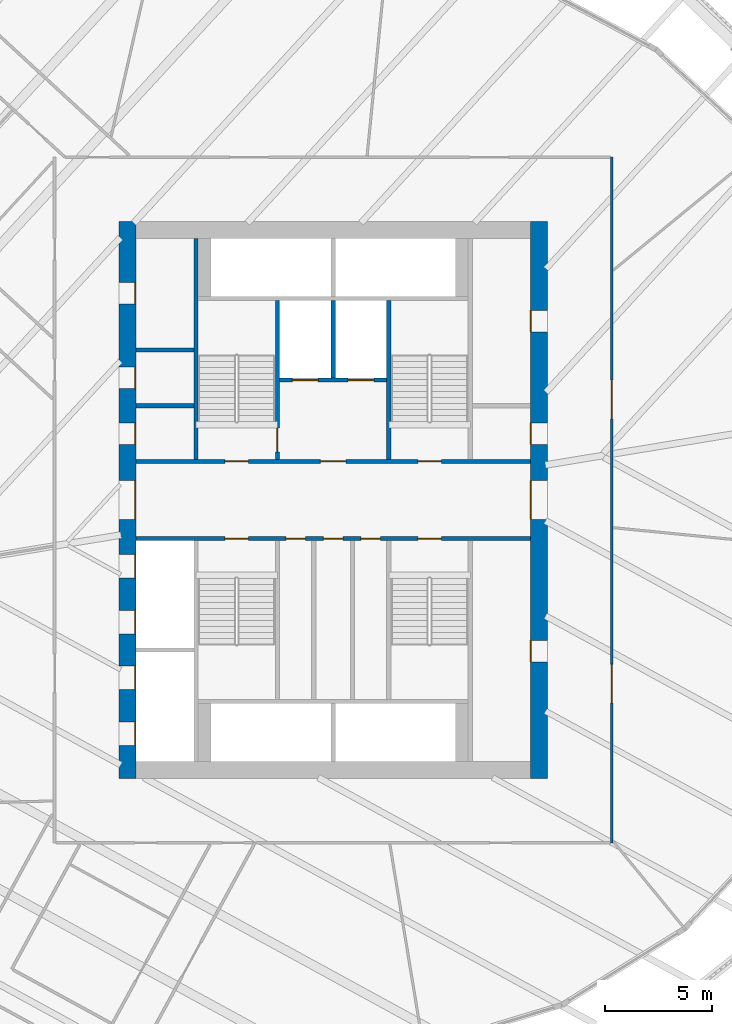
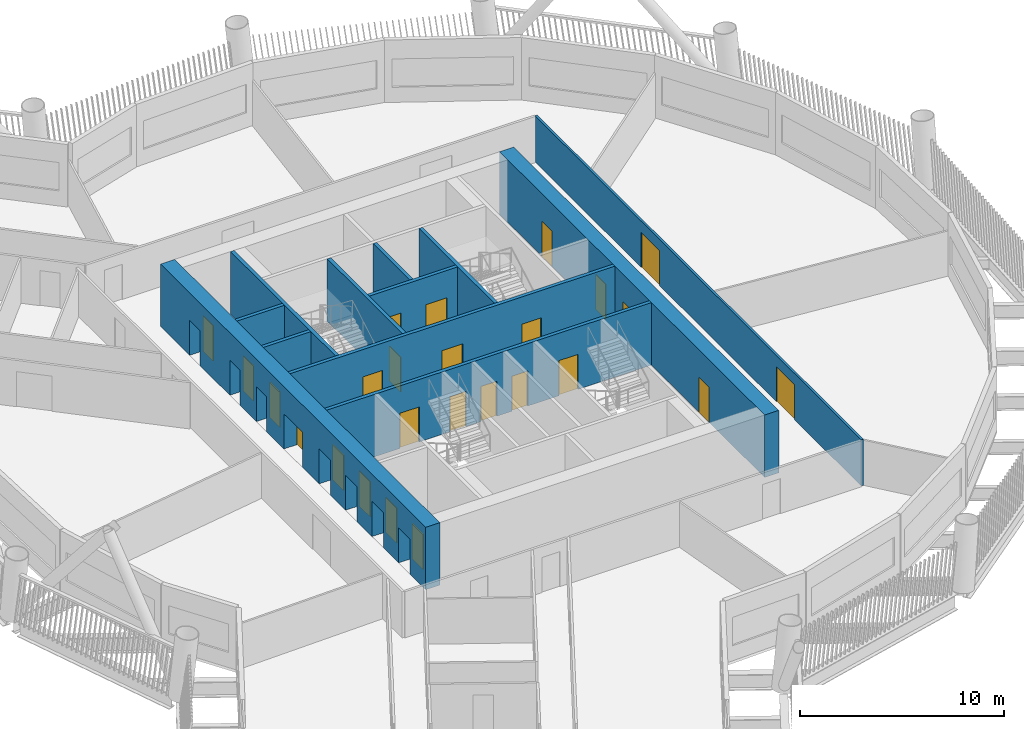
# One storey, part 5 of 24: 25 doors, 12 walls, 25 openings.
"""IFC4 building model written with IfcOpenShell, lengths in metres."""

from ifc_helpers import new_model, si_unit, direction, frame, frame_2d, origin, place, context, subcontext, project, spatial, rectangle, extrude, material, layer, layer_set, type_object, element, fill, save


model = new_model("IFC4")

# Units and contexts
model_context = context("Model", 3, precision=1e-05, world=origin(), true_north=direction((0.0, 1.0)))
body_context = subcontext(model_context, "Body", "Model", "MODEL_VIEW")
ifc_project = project(units=[si_unit("LENGTHUNIT", "METRE"), si_unit("AREAUNIT", "SQUARE_METRE"), si_unit("VOLUMEUNIT", "CUBIC_METRE"), si_unit("PLANEANGLEUNIT", "RADIAN"), si_unit("MASSUNIT", "GRAM", prefix="KILO")], contexts=[model_context])

# Site, building, storey
site_placement = place(None, origin())
site = spatial("IfcSite", under=ifc_project, at=site_placement, CompositionType="ELEMENT")
building_placement = place(site_placement, origin())
building = spatial("IfcBuilding", under=site, at=building_placement, Name="Tarsis Ring Headquarters", CompositionType="ELEMENT")
storey_placement = place(building_placement, frame((0.0, 0.0, 92.800048828125)))
storey = spatial("IfcBuildingStorey", under=building, at=storey_placement, Name="L20", CompositionType="ELEMENT", Elevation=92.800048828125)

# Walls
ifc_material_1 = material(Name="Blockwork", Category="masonry")
ifc_layer_1 = layer(ifc_material_1, 0.199951171875)
ifc_layer_set_1 = layer_set([ifc_layer_1], Name="Core blockwork wall 200")
wall_type_1 = type_object("IfcWallType", Name="Core blockwork wall 200", PredefinedType="PARTITIONING", material=ifc_layer_set_1)
for number, where, z_axis, x_axis, name in (
    (1, (-9.199951171875, 4.39990234375, 0.0), (0.0, 0.0, 1.0), (1.0, 0.0, 0.0), "Core partition WD5"),
    (2, (-9.199951171875, 7.0, 0.0), (0.0, 0.0, 1.0), (1.0, 0.0, 0.0), "Core partition WD6"),
):
    element("IfcWall", number, at=place(storey_placement, frame(where, z_axis=z_axis, x_axis=x_axis)), inside=storey, type_object=wall_type_1, Name=name, PredefinedType="PARTITIONING", context=body_context, shape_type="SweptSolid", body=[
        extrude(rectangle(XDim=2.699951171875, YDim=0.199951171875, at=frame_2d((1.35009765625, 0.0))), origin(), (0.0, 0.0, 1.0), 3.739990234375),
    ])

# Wall, openings, doors
ifc_material_2 = material(Name="Concrete C60/75", Category="concrete")
ifc_layer_2 = layer(ifc_material_2, 0.800048828125)
ifc_layer_set_2 = layer_set([ifc_layer_2], Name="Core wall 800 C60/75")
wall_type_2 = type_object("IfcWallType", Name="Core wall 800 C60/75", PredefinedType="SHEAR", material=ifc_layer_set_2)
wall_1_placement = place(storey_placement, frame((-9.60009765625, -13.0, 0.0), z_axis=(0.0, 0.0, 1.0), x_axis=(0.0, 1.0, 0.0)))
wall_1 = element("IfcWall", 3, at=wall_1_placement, inside=storey, type_object=wall_type_2, Name="Core wall OW", PredefinedType="SHEAR", context=body_context, shape_type="SweptSolid", body=[
    extrude(rectangle(XDim=26.0, YDim=0.800048828125, at=frame_2d((13.0, 0.0))), origin(), (0.0, 0.0, 1.0), 3.739990234375),
])
opening_1_placement = place(wall_1_placement, frame((1.550048828125, 0.0, 0.0)))
opening_1 = element("IfcOpeningElement", 4, at=opening_1_placement, cuts=wall_1, Name="Opening LD-LR1", PredefinedType="OPENING", context=body_context, shape_type="SweptSolid", body=[
    extrude(rectangle(XDim=1.10009765625, YDim=2.10009765625, at=frame_2d((0.550048828125, 1.050048828125))), frame((0.0, 0.409912109375, 0.0), z_axis=(0.0, -1.0, 0.0), x_axis=(1.0, 0.0, 0.0)), (0.0, 0.0, 1.0), 0.820068359375),
])
opening_2_placement = place(wall_1_placement, frame((4.14990234375, 0.0, 0.0)))
opening_2 = element("IfcOpeningElement", 5, at=opening_2_placement, cuts=wall_1, Name="Opening LD-LR2", PredefinedType="OPENING", context=body_context, shape_type="SweptSolid", body=[
    extrude(rectangle(XDim=1.10009765625, YDim=2.10009765625, at=frame_2d((0.550048828125, 1.050048828125))), frame((0.0, 0.409912109375, 0.0), z_axis=(0.0, -1.0, 0.0), x_axis=(1.0, 0.0, 0.0)), (0.0, 0.0, 1.0), 0.820068359375),
])
opening_3_placement = place(wall_1_placement, frame((6.75, 0.0, 0.0)))
opening_3 = element("IfcOpeningElement", 6, at=opening_3_placement, cuts=wall_1, Name="Opening LD-LR3", PredefinedType="OPENING", context=body_context, shape_type="SweptSolid", body=[
    extrude(rectangle(XDim=1.10009765625, YDim=2.10009765625, at=frame_2d((0.550048828125, 1.050048828125))), frame((0.0, 0.409912109375, 0.0), z_axis=(0.0, -1.0, 0.0), x_axis=(1.0, 0.0, 0.0)), (0.0, 0.0, 1.0), 0.820068359375),
])
opening_4_placement = place(wall_1_placement, frame((9.35009765625, 0.0, 0.0)))
opening_4 = element("IfcOpeningElement", 7, at=opening_4_placement, cuts=wall_1, Name="Opening LD-LR4", PredefinedType="OPENING", context=body_context, shape_type="SweptSolid", body=[
    extrude(rectangle(XDim=1.10009765625, YDim=2.10009765625, at=frame_2d((0.550048828125, 1.050048828125))), frame((0.0, 0.409912109375, 0.0), z_axis=(0.0, -1.0, 0.0), x_axis=(1.0, 0.0, 0.0)), (0.0, 0.0, 1.0), 0.820068359375),
])
opening_5_placement = place(wall_1_placement, frame((12.10009765625, 0.0, 0.0)))
opening_5 = element("IfcOpeningElement", 8, at=opening_5_placement, cuts=wall_1, Name="Opening L20-C05", PredefinedType="OPENING", context=body_context, shape_type="SweptSolid", body=[
    extrude(rectangle(XDim=1.800048828125, YDim=2.10009765625, at=frame_2d((0.89990234375, 1.050048828125))), frame((0.0, 0.409912109375, 0.0), z_axis=(0.0, -1.0, 0.0), x_axis=(1.0, 0.0, 0.0)), (0.0, 0.0, 1.0), 0.820068359375),
])
opening_6_placement = place(wall_1_placement, frame((15.60009765625, 0.0, 0.0)))
opening_6 = element("IfcOpeningElement", 9, at=opening_6_placement, cuts=wall_1, Name="Opening L20-C06", PredefinedType="OPENING", context=body_context, shape_type="SweptSolid", body=[
    extrude(rectangle(XDim=1.0, YDim=2.10009765625, at=frame_2d((0.5, 1.050048828125))), frame((0.0, 0.409912109375, 0.0), z_axis=(0.0, -1.0, 0.0), x_axis=(1.0, 0.0, 0.0)), (0.0, 0.0, 1.0), 0.820068359375),
])
opening_7_placement = place(wall_1_placement, frame((18.199951171875, 0.0, 0.0)))
opening_7 = element("IfcOpeningElement", 10, at=opening_7_placement, cuts=wall_1, Name="Opening L20-C07", PredefinedType="OPENING", context=body_context, shape_type="SweptSolid", body=[
    extrude(rectangle(XDim=1.0, YDim=2.10009765625, at=frame_2d((0.5, 1.050048828125))), frame((0.0, 0.409912109375, 0.0), z_axis=(0.0, -1.0, 0.0), x_axis=(1.0, 0.0, 0.0)), (0.0, 0.0, 1.0), 0.820068359375),
])
opening_8_placement = place(wall_1_placement, frame((22.14990234375, 0.0, 0.0)))
opening_8 = element("IfcOpeningElement", 11, at=opening_8_placement, cuts=wall_1, Name="Opening L20-C08", PredefinedType="OPENING", context=body_context, shape_type="SweptSolid", body=[
    extrude(rectangle(XDim=1.0, YDim=2.10009765625, at=frame_2d((0.5, 1.050048828125))), frame((0.0, 0.409912109375, 0.0), z_axis=(0.0, -1.0, 0.0), x_axis=(1.0, 0.0, 0.0)), (0.0, 0.0, 1.0), 0.820068359375),
])
ifc_material_3 = material(Name="Steel S355", Category="steel")
door_type_1 = type_object("IfcDoorType", Name="Core entry door 1800x2100", OperationType="DOUBLE_DOOR_SINGLE_SWING", PredefinedType="DOOR", material=ifc_material_3)
door_1_placement = place(opening_5_placement, origin())
door_1 = element("IfcDoor", 12, at=door_1_placement, inside=storey, type_object=door_type_1, Name="Core entry door L20", OperationType="DOUBLE_DOOR_SINGLE_SWING", OverallHeight=2.10009765625, OverallWidth=1.800048828125, PredefinedType="DOOR", context=body_context, shape_type="SweptSolid", body=[
    extrude(rectangle(XDim=1.800048828125, YDim=2.10009765625, at=frame_2d((0.89990234375, 1.050048828125))), frame((0.0, -0.35009765625, 0.0), z_axis=(0.0, -1.0, 0.0), x_axis=(1.0, 0.0, 0.0)), (0.0, 0.0, 1.0), 0.050048828125),
])
fill(opening_5, door_1)
door_type_2 = type_object("IfcDoorType", Name="Core room door 1000x2100", OperationType="SINGLE_SWING_LEFT", PredefinedType="DOOR", material=ifc_material_3)
door_2_placement = place(opening_6_placement, origin())
door_2 = element("IfcDoor", 13, at=door_2_placement, inside=storey, type_object=door_type_2, Name="Core room door L20", OperationType="SINGLE_SWING_LEFT", OverallHeight=2.10009765625, OverallWidth=1.0, PredefinedType="DOOR", context=body_context, shape_type="SweptSolid", body=[
    extrude(rectangle(XDim=1.0, YDim=2.10009765625, at=frame_2d((0.5, 1.050048828125))), frame((0.0, -0.35009765625, 0.0), z_axis=(0.0, -1.0, 0.0), x_axis=(1.0, 0.0, 0.0)), (0.0, 0.0, 1.0), 0.050048828125),
])
fill(opening_6, door_2)
door_3_placement = place(opening_7_placement, origin())
door_3 = element("IfcDoor", 14, at=door_3_placement, inside=storey, type_object=door_type_2, Name="Core room door L20", OperationType="SINGLE_SWING_LEFT", OverallHeight=2.10009765625, OverallWidth=1.0, PredefinedType="DOOR", context=body_context, shape_type="SweptSolid", body=[
    extrude(rectangle(XDim=1.0, YDim=2.10009765625, at=frame_2d((0.5, 1.050048828125))), frame((0.0, -0.35009765625, 0.0), z_axis=(0.0, -1.0, 0.0), x_axis=(1.0, 0.0, 0.0)), (0.0, 0.0, 1.0), 0.050048828125),
])
fill(opening_7, door_3)
door_4_placement = place(opening_8_placement, origin())
door_4 = element("IfcDoor", 15, at=door_4_placement, inside=storey, type_object=door_type_2, Name="Core room door L20", OperationType="SINGLE_SWING_LEFT", OverallHeight=2.10009765625, OverallWidth=1.0, PredefinedType="DOOR", context=body_context, shape_type="SweptSolid", body=[
    extrude(rectangle(XDim=1.0, YDim=2.10009765625, at=frame_2d((0.5, 1.050048828125))), frame((0.0, -0.35009765625, 0.0), z_axis=(0.0, -1.0, 0.0), x_axis=(1.0, 0.0, 0.0)), (0.0, 0.0, 1.0), 0.050048828125),
])
fill(opening_8, door_4)
door_type_3 = type_object("IfcDoorType", Name="Landing door 1100x2100", OperationType="SLIDING_TO_LEFT", PredefinedType="DOOR", material=ifc_material_3)
door_5_placement = place(opening_1_placement, origin())
door_5 = element("IfcDoor", 16, at=door_5_placement, inside=storey, type_object=door_type_3, Name="Landing door LR1 L20", OperationType="SLIDING_TO_LEFT", OverallHeight=2.10009765625, OverallWidth=1.10009765625, PredefinedType="DOOR", context=body_context, shape_type="SweptSolid", body=[
    extrude(rectangle(XDim=1.10009765625, YDim=2.10009765625, at=frame_2d((0.550048828125, 1.050048828125))), frame((0.0, -0.35009765625, 0.0), z_axis=(0.0, -1.0, 0.0), x_axis=(1.0, 0.0, 0.0)), (0.0, 0.0, 1.0), 0.050048828125),
])
fill(opening_1, door_5)
door_6_placement = place(opening_2_placement, origin())
door_6 = element("IfcDoor", 17, at=door_6_placement, inside=storey, type_object=door_type_3, Name="Landing door LR2 L20", OperationType="SLIDING_TO_LEFT", OverallHeight=2.10009765625, OverallWidth=1.10009765625, PredefinedType="DOOR", context=body_context, shape_type="SweptSolid", body=[
    extrude(rectangle(XDim=1.10009765625, YDim=2.10009765625, at=frame_2d((0.550048828125, 1.050048828125))), frame((0.0, -0.35009765625, 0.0), z_axis=(0.0, -1.0, 0.0), x_axis=(1.0, 0.0, 0.0)), (0.0, 0.0, 1.0), 0.050048828125),
])
fill(opening_2, door_6)
door_7_placement = place(opening_3_placement, origin())
door_7 = element("IfcDoor", 18, at=door_7_placement, inside=storey, type_object=door_type_3, Name="Landing door LR3 L20", OperationType="SLIDING_TO_LEFT", OverallHeight=2.10009765625, OverallWidth=1.10009765625, PredefinedType="DOOR", context=body_context, shape_type="SweptSolid", body=[
    extrude(rectangle(XDim=1.10009765625, YDim=2.10009765625, at=frame_2d((0.550048828125, 1.050048828125))), frame((0.0, -0.35009765625, 0.0), z_axis=(0.0, -1.0, 0.0), x_axis=(1.0, 0.0, 0.0)), (0.0, 0.0, 1.0), 0.050048828125),
])
fill(opening_3, door_7)
door_8_placement = place(opening_4_placement, origin())
door_8 = element("IfcDoor", 19, at=door_8_placement, inside=storey, type_object=door_type_3, Name="Landing door LR4 L20", OperationType="SLIDING_TO_LEFT", OverallHeight=2.10009765625, OverallWidth=1.10009765625, PredefinedType="DOOR", context=body_context, shape_type="SweptSolid", body=[
    extrude(rectangle(XDim=1.10009765625, YDim=2.10009765625, at=frame_2d((0.550048828125, 1.050048828125))), frame((0.0, -0.35009765625, 0.0), z_axis=(0.0, -1.0, 0.0), x_axis=(1.0, 0.0, 0.0)), (0.0, 0.0, 1.0), 0.050048828125),
])
fill(opening_4, door_8)

wall_2_placement = place(storey_placement, frame((9.60009765625, -13.0, 0.0), z_axis=(0.0, 0.0, 1.0), x_axis=(0.0, 1.0, 0.0)))
wall_2 = element("IfcWall", 20, at=wall_2_placement, inside=storey, type_object=wall_type_2, Name="Core wall OE", PredefinedType="SHEAR", context=body_context, shape_type="SweptSolid", body=[
    extrude(rectangle(XDim=26.0, YDim=0.800048828125, at=frame_2d((13.0, 0.0))), origin(), (0.0, 0.0, 1.0), 3.739990234375),
])
opening_9_placement = place(wall_2_placement, frame((5.449951171875, 0.0, 0.0)))
opening_9 = element("IfcOpeningElement", 21, at=opening_9_placement, cuts=wall_2, Name="Opening L20-C09", PredefinedType="OPENING", context=body_context, shape_type="SweptSolid", body=[
    extrude(rectangle(XDim=1.0, YDim=2.10009765625, at=frame_2d((0.5, 1.050048828125))), frame((0.0, 0.409912109375, 0.0), z_axis=(0.0, -1.0, 0.0), x_axis=(1.0, 0.0, 0.0)), (0.0, 0.0, 1.0), 0.820068359375),
])
opening_10_placement = place(wall_2_placement, frame((12.10009765625, 0.0, 0.0)))
opening_10 = element("IfcOpeningElement", 22, at=opening_10_placement, cuts=wall_2, Name="Opening L20-C10", PredefinedType="OPENING", context=body_context, shape_type="SweptSolid", body=[
    extrude(rectangle(XDim=1.800048828125, YDim=2.10009765625, at=frame_2d((0.89990234375, 1.050048828125))), frame((0.0, 0.409912109375, 0.0), z_axis=(0.0, -1.0, 0.0), x_axis=(1.0, 0.0, 0.0)), (0.0, 0.0, 1.0), 0.820068359375),
])
opening_11_placement = place(wall_2_placement, frame((15.60009765625, 0.0, 0.0)))
opening_11 = element("IfcOpeningElement", 23, at=opening_11_placement, cuts=wall_2, Name="Opening L20-C11", PredefinedType="OPENING", context=body_context, shape_type="SweptSolid", body=[
    extrude(rectangle(XDim=1.0, YDim=2.10009765625, at=frame_2d((0.5, 1.050048828125))), frame((0.0, 0.409912109375, 0.0), z_axis=(0.0, -1.0, 0.0), x_axis=(1.0, 0.0, 0.0)), (0.0, 0.0, 1.0), 0.820068359375),
])
opening_12_placement = place(wall_2_placement, frame((20.85009765625, 0.0, 0.0)))
opening_12 = element("IfcOpeningElement", 24, at=opening_12_placement, cuts=wall_2, Name="Opening L20-C12", PredefinedType="OPENING", context=body_context, shape_type="SweptSolid", body=[
    extrude(rectangle(XDim=1.0, YDim=2.10009765625, at=frame_2d((0.5, 1.050048828125))), frame((0.0, 0.409912109375, 0.0), z_axis=(0.0, -1.0, 0.0), x_axis=(1.0, 0.0, 0.0)), (0.0, 0.0, 1.0), 0.820068359375),
])
door_9_placement = place(opening_10_placement, origin())
door_9 = element("IfcDoor", 25, at=door_9_placement, inside=storey, type_object=door_type_1, Name="Core entry door L20", OperationType="DOUBLE_DOOR_SINGLE_SWING", OverallHeight=2.10009765625, OverallWidth=1.800048828125, PredefinedType="DOOR", context=body_context, shape_type="SweptSolid", body=[
    extrude(rectangle(XDim=1.800048828125, YDim=2.10009765625, at=frame_2d((0.89990234375, 1.050048828125))), frame((0.0, 0.39990234375, 0.0), z_axis=(0.0, -1.0, 0.0), x_axis=(1.0, 0.0, 0.0)), (0.0, 0.0, 1.0), 0.050048828125),
])
fill(opening_10, door_9)
door_10_placement = place(opening_9_placement, origin())
door_10 = element("IfcDoor", 26, at=door_10_placement, inside=storey, type_object=door_type_2, Name="Core room door L20", OperationType="SINGLE_SWING_LEFT", OverallHeight=2.10009765625, OverallWidth=1.0, PredefinedType="DOOR", context=body_context, shape_type="SweptSolid", body=[
    extrude(rectangle(XDim=1.0, YDim=2.10009765625, at=frame_2d((0.5, 1.050048828125))), frame((0.0, 0.39990234375, 0.0), z_axis=(0.0, -1.0, 0.0), x_axis=(1.0, 0.0, 0.0)), (0.0, 0.0, 1.0), 0.050048828125),
])
fill(opening_9, door_10)
door_11_placement = place(opening_11_placement, origin())
door_11 = element("IfcDoor", 27, at=door_11_placement, inside=storey, type_object=door_type_2, Name="Core room door L20", OperationType="SINGLE_SWING_LEFT", OverallHeight=2.10009765625, OverallWidth=1.0, PredefinedType="DOOR", context=body_context, shape_type="SweptSolid", body=[
    extrude(rectangle(XDim=1.0, YDim=2.10009765625, at=frame_2d((0.5, 1.050048828125))), frame((0.0, 0.39990234375, 0.0), z_axis=(0.0, -1.0, 0.0), x_axis=(1.0, 0.0, 0.0)), (0.0, 0.0, 1.0), 0.050048828125),
])
fill(opening_11, door_11)
door_12_placement = place(opening_12_placement, origin())
door_12 = element("IfcDoor", 28, at=door_12_placement, inside=storey, type_object=door_type_2, Name="Core room door L20", OperationType="SINGLE_SWING_LEFT", OverallHeight=2.10009765625, OverallWidth=1.0, PredefinedType="DOOR", context=body_context, shape_type="SweptSolid", body=[
    extrude(rectangle(XDim=1.0, YDim=2.10009765625, at=frame_2d((0.5, 1.050048828125))), frame((0.0, 0.39990234375, 0.0), z_axis=(0.0, -1.0, 0.0), x_axis=(1.0, 0.0, 0.0)), (0.0, 0.0, 1.0), 0.050048828125),
])
fill(opening_12, door_12)

ifc_material_4 = material(Name="Gypsum board on steel studs", Category="steel")
ifc_layer_3 = layer(ifc_material_4, 0.125)
ifc_layer_set_3 = layer_set([ifc_layer_3], Name="FL partition 125 EI 60 H2770")
wall_type_3 = type_object("IfcWallType", Name="FL partition 125 EI 60 H2770", PredefinedType="PARTITIONING", material=ifc_layer_set_3)
wall_3_placement = place(storey_placement, frame((13.0, -16.0, 0.0), z_axis=(0.0, 0.0, 1.0), x_axis=(0.0, 1.0, 0.0)))
wall_3 = element("IfcWall", 29, at=wall_3_placement, inside=storey, type_object=wall_type_3, Name="Partition PW1", PredefinedType="PARTITIONING", context=body_context, shape_type="SweptSolid", body=[
    extrude(rectangle(XDim=32.0, YDim=0.125, at=frame_2d((16.0, 0.0))), origin(), (0.0, 0.0, 1.0), 2.77001953125),
])
opening_13_placement = place(wall_3_placement, frame((19.789794921875, 0.0, 0.0)))
opening_13 = element("IfcOpeningElement", 30, at=opening_13_placement, cuts=wall_3, Name="Opening D20.05", PredefinedType="OPENING", context=body_context, shape_type="SweptSolid", body=[
    extrude(rectangle(XDim=1.800048828125, YDim=2.10009765625, at=frame_2d((0.89990234375, 1.050048828125))), frame((0.0, 0.072509765625, 0.0), z_axis=(0.0, -1.0, 0.0), x_axis=(1.0, 0.0, 0.0)), (0.0, 0.0, 1.0), 0.14501953125),
])
opening_14_placement = place(wall_3_placement, frame((6.53369140625, 0.0, 0.0)))
opening_14 = element("IfcOpeningElement", 31, at=opening_14_placement, cuts=wall_3, Name="Opening D20.06", PredefinedType="OPENING", context=body_context, shape_type="SweptSolid", body=[
    extrude(rectangle(XDim=1.800048828125, YDim=2.10009765625, at=frame_2d((0.89990234375, 1.050048828125))), frame((0.0, 0.072509765625, 0.0), z_axis=(0.0, -1.0, 0.0), x_axis=(1.0, 0.0, 0.0)), (0.0, 0.0, 1.0), 0.14501953125),
])
ifc_material_5 = material(Name="Fire-rated timber door leaf in steel frame", Category="steel")
door_type_4 = type_object("IfcDoorType", Name="FL door FD60-1800", OperationType="DOUBLE_DOOR_SINGLE_SWING", PredefinedType="DOOR", material=ifc_material_5)
door_13_placement = place(opening_13_placement, origin())
door_13 = element("IfcDoor", 32, at=door_13_placement, inside=storey, type_object=door_type_4, Name="Door D20.05", OperationType="DOUBLE_DOOR_SINGLE_SWING", OverallHeight=2.10009765625, OverallWidth=1.800048828125, PredefinedType="DOOR", context=body_context, shape_type="SweptSolid", body=[
    extrude(rectangle(XDim=1.800048828125, YDim=2.10009765625, at=frame_2d((0.89990234375, 1.050048828125))), frame((0.0, 0.02490234375, 0.0), z_axis=(0.0, -1.0, 0.0), x_axis=(1.0, 0.0, 0.0)), (0.0, 0.0, 1.0), 0.050048828125),
])
fill(opening_13, door_13)
door_14_placement = place(opening_14_placement, origin())
door_14 = element("IfcDoor", 33, at=door_14_placement, inside=storey, type_object=door_type_4, Name="Door D20.06", OperationType="DOUBLE_DOOR_SINGLE_SWING", OverallHeight=2.10009765625, OverallWidth=1.800048828125, PredefinedType="DOOR", context=body_context, shape_type="SweptSolid", body=[
    extrude(rectangle(XDim=1.800048828125, YDim=2.10009765625, at=frame_2d((0.89990234375, 1.050048828125))), frame((0.0, 0.02490234375, 0.0), z_axis=(0.0, -1.0, 0.0), x_axis=(1.0, 0.0, 0.0)), (0.0, 0.0, 1.0), 0.050048828125),
])
fill(opening_14, door_14)

ifc_material_6 = material(Name="Concrete C32/40", Category="concrete")
ifc_layer_4 = layer(ifc_material_6, 0.199951171875)
ifc_layer_set_4 = layer_set([ifc_layer_4], Name="Shaft wall 200 C32/40")
wall_type_4 = type_object("IfcWallType", Name="Shaft wall 200 C32/40", PredefinedType="SOLIDWALL", material=ifc_layer_set_4)
wall_4_placement = place(storey_placement, frame((-9.199951171875, 1.800048828125, 0.0), z_axis=(0.0, 0.0, 1.0), x_axis=(1.0, 0.0, 0.0)))
wall_4 = element("IfcWall", 34, at=wall_4_placement, inside=storey, type_object=wall_type_4, Name="Core shaft wall CN", PredefinedType="SOLIDWALL", context=body_context, shape_type="SweptSolid", body=[
    extrude(rectangle(XDim=18.39990234375, YDim=0.199951171875, at=frame_2d((9.199951171875, 0.0))), origin(), (0.0, 0.0, 1.0), 3.739990234375),
])
opening_15_placement = place(wall_4_placement, frame((4.14990234375, 0.0, 0.0)))
opening_15 = element("IfcOpeningElement", 35, at=opening_15_placement, cuts=wall_4, Name="Opening L20-C13", PredefinedType="OPENING", context=body_context, shape_type="SweptSolid", body=[
    extrude(rectangle(XDim=1.10009765625, YDim=2.10009765625, at=frame_2d((0.550048828125, 1.050048828125))), frame((0.0, 0.10986328125, 0.0), z_axis=(0.0, -1.0, 0.0), x_axis=(1.0, 0.0, 0.0)), (0.0, 0.0, 1.0), 0.219970703125),
])
opening_16_placement = place(wall_4_placement, frame((8.60009765625, 0.0, 0.0)))
opening_16 = element("IfcOpeningElement", 36, at=opening_16_placement, cuts=wall_4, Name="Opening L20-C14", PredefinedType="OPENING", context=body_context, shape_type="SweptSolid", body=[
    extrude(rectangle(XDim=1.199951171875, YDim=2.10009765625, at=frame_2d((0.60009765625, 1.050048828125))), frame((0.0, 0.10986328125, 0.0), z_axis=(0.0, -1.0, 0.0), x_axis=(1.0, 0.0, 0.0)), (0.0, 0.0, 1.0), 0.219970703125),
])
opening_17_placement = place(wall_4_placement, frame((13.14990234375, 0.0, 0.0)))
opening_17 = element("IfcOpeningElement", 37, at=opening_17_placement, cuts=wall_4, Name="Opening L20-C15", PredefinedType="OPENING", context=body_context, shape_type="SweptSolid", body=[
    extrude(rectangle(XDim=1.10009765625, YDim=2.10009765625, at=frame_2d((0.550048828125, 1.050048828125))), frame((0.0, 0.10986328125, 0.0), z_axis=(0.0, -1.0, 0.0), x_axis=(1.0, 0.0, 0.0)), (0.0, 0.0, 1.0), 0.219970703125),
])
door_type_5 = type_object("IfcDoorType", Name="Firefighting lobby door 1200x2100", OperationType="DOUBLE_DOOR_SINGLE_SWING", PredefinedType="DOOR", material=ifc_material_3)
door_15_placement = place(opening_16_placement, origin())
door_15 = element("IfcDoor", 38, at=door_15_placement, inside=storey, type_object=door_type_5, Name="Firefighting lobby door L20", OperationType="DOUBLE_DOOR_SINGLE_SWING", OverallHeight=2.10009765625, OverallWidth=1.199951171875, PredefinedType="DOOR", context=body_context, shape_type="SweptSolid", body=[
    extrude(rectangle(XDim=1.199951171875, YDim=2.10009765625, at=frame_2d((0.60009765625, 1.050048828125))), frame((0.0, 0.02490234375, 0.0), z_axis=(0.0, -1.0, 0.0), x_axis=(1.0, 0.0, 0.0)), (0.0, 0.0, 1.0), 0.050048828125),
])
fill(opening_16, door_15)
door_type_6 = type_object("IfcDoorType", Name="Stair door 1100x2100", OperationType="SINGLE_SWING_LEFT", PredefinedType="DOOR", material=ifc_material_3)
door_16_placement = place(opening_15_placement, origin())
door_16 = element("IfcDoor", 39, at=door_16_placement, inside=storey, type_object=door_type_6, Name="Stair door L20", OperationType="SINGLE_SWING_LEFT", OverallHeight=2.10009765625, OverallWidth=1.10009765625, PredefinedType="DOOR", context=body_context, shape_type="SweptSolid", body=[
    extrude(rectangle(XDim=1.10009765625, YDim=2.10009765625, at=frame_2d((0.550048828125, 1.050048828125))), frame((0.0, 0.02490234375, 0.0), z_axis=(0.0, -1.0, 0.0), x_axis=(1.0, 0.0, 0.0)), (0.0, 0.0, 1.0), 0.050048828125),
])
fill(opening_15, door_16)
door_17_placement = place(opening_17_placement, origin())
door_17 = element("IfcDoor", 40, at=door_17_placement, inside=storey, type_object=door_type_6, Name="Stair door L20", OperationType="SINGLE_SWING_LEFT", OverallHeight=2.10009765625, OverallWidth=1.10009765625, PredefinedType="DOOR", context=body_context, shape_type="SweptSolid", body=[
    extrude(rectangle(XDim=1.10009765625, YDim=2.10009765625, at=frame_2d((0.550048828125, 1.050048828125))), frame((0.0, 0.02490234375, 0.0), z_axis=(0.0, -1.0, 0.0), x_axis=(1.0, 0.0, 0.0)), (0.0, 0.0, 1.0), 0.050048828125),
])
fill(opening_17, door_17)

wall_5_placement = place(storey_placement, frame((-9.199951171875, -1.800048828125, 0.0), z_axis=(0.0, 0.0, 1.0), x_axis=(1.0, 0.0, 0.0)))
wall_5 = element("IfcWall", 41, at=wall_5_placement, inside=storey, type_object=wall_type_4, Name="Core shaft wall CS", PredefinedType="SOLIDWALL", context=body_context, shape_type="SweptSolid", body=[
    extrude(rectangle(XDim=18.39990234375, YDim=0.199951171875, at=frame_2d((9.199951171875, 0.0))), origin(), (0.0, 0.0, 1.0), 3.739990234375),
])
opening_18_placement = place(wall_5_placement, frame((4.14990234375, 0.0, 0.0)))
opening_18 = element("IfcOpeningElement", 42, at=opening_18_placement, cuts=wall_5, Name="Opening L20-C16", PredefinedType="OPENING", context=body_context, shape_type="SweptSolid", body=[
    extrude(rectangle(XDim=1.10009765625, YDim=2.10009765625, at=frame_2d((0.550048828125, 1.050048828125))), frame((0.0, 0.10986328125, 0.0), z_axis=(0.0, -1.0, 0.0), x_axis=(1.0, 0.0, 0.0)), (0.0, 0.0, 1.0), 0.219970703125),
])
opening_19_placement = place(wall_5_placement, frame((7.0, 0.0, 0.0)))
opening_19 = element("IfcOpeningElement", 43, at=opening_19_placement, cuts=wall_5, Name="Opening L20-C17", PredefinedType="OPENING", context=body_context, shape_type="SweptSolid", body=[
    extrude(rectangle(XDim=0.89990234375, YDim=2.10009765625, at=frame_2d((0.449951171875, 1.050048828125))), frame((0.0, 0.10986328125, 0.0), z_axis=(0.0, -1.0, 0.0), x_axis=(1.0, 0.0, 0.0)), (0.0, 0.0, 1.0), 0.219970703125),
])
opening_20_placement = place(wall_5_placement, frame((8.75, 0.0, 0.0)))
opening_20 = element("IfcOpeningElement", 44, at=opening_20_placement, cuts=wall_5, Name="Opening L20-C18", PredefinedType="OPENING", context=body_context, shape_type="SweptSolid", body=[
    extrude(rectangle(XDim=0.89990234375, YDim=2.10009765625, at=frame_2d((0.449951171875, 1.050048828125))), frame((0.0, 0.10986328125, 0.0), z_axis=(0.0, -1.0, 0.0), x_axis=(1.0, 0.0, 0.0)), (0.0, 0.0, 1.0), 0.219970703125),
])
opening_21_placement = place(wall_5_placement, frame((10.5, 0.0, 0.0)))
opening_21 = element("IfcOpeningElement", 45, at=opening_21_placement, cuts=wall_5, Name="Opening L20-C19", PredefinedType="OPENING", context=body_context, shape_type="SweptSolid", body=[
    extrude(rectangle(XDim=0.89990234375, YDim=2.10009765625, at=frame_2d((0.449951171875, 1.050048828125))), frame((0.0, 0.10986328125, 0.0), z_axis=(0.0, -1.0, 0.0), x_axis=(1.0, 0.0, 0.0)), (0.0, 0.0, 1.0), 0.219970703125),
])
opening_22_placement = place(wall_5_placement, frame((13.14990234375, 0.0, 0.0)))
opening_22 = element("IfcOpeningElement", 46, at=opening_22_placement, cuts=wall_5, Name="Opening L20-C20", PredefinedType="OPENING", context=body_context, shape_type="SweptSolid", body=[
    extrude(rectangle(XDim=1.10009765625, YDim=2.10009765625, at=frame_2d((0.550048828125, 1.050048828125))), frame((0.0, 0.10986328125, 0.0), z_axis=(0.0, -1.0, 0.0), x_axis=(1.0, 0.0, 0.0)), (0.0, 0.0, 1.0), 0.219970703125),
])
door_18_placement = place(opening_18_placement, origin())
door_18 = element("IfcDoor", 47, at=door_18_placement, inside=storey, type_object=door_type_6, Name="Stair door L20", OperationType="SINGLE_SWING_LEFT", OverallHeight=2.10009765625, OverallWidth=1.10009765625, PredefinedType="DOOR", context=body_context, shape_type="SweptSolid", body=[
    extrude(rectangle(XDim=1.10009765625, YDim=2.10009765625, at=frame_2d((0.550048828125, 1.050048828125))), frame((0.0, 0.02490234375, 0.0), z_axis=(0.0, -1.0, 0.0), x_axis=(1.0, 0.0, 0.0)), (0.0, 0.0, 1.0), 0.050048828125),
])
fill(opening_18, door_18)
door_19_placement = place(opening_22_placement, origin())
door_19 = element("IfcDoor", 48, at=door_19_placement, inside=storey, type_object=door_type_6, Name="Stair door L20", OperationType="SINGLE_SWING_LEFT", OverallHeight=2.10009765625, OverallWidth=1.10009765625, PredefinedType="DOOR", context=body_context, shape_type="SweptSolid", body=[
    extrude(rectangle(XDim=1.10009765625, YDim=2.10009765625, at=frame_2d((0.550048828125, 1.050048828125))), frame((0.0, 0.02490234375, 0.0), z_axis=(0.0, -1.0, 0.0), x_axis=(1.0, 0.0, 0.0)), (0.0, 0.0, 1.0), 0.050048828125),
])
fill(opening_22, door_19)
door_type_7 = type_object("IfcDoorType", Name="WC door 900x2100", OperationType="SINGLE_SWING_LEFT", PredefinedType="DOOR", material=ifc_material_3)
door_20_placement = place(opening_19_placement, origin())
door_20 = element("IfcDoor", 49, at=door_20_placement, inside=storey, type_object=door_type_7, Name="WC door L20", OperationType="SINGLE_SWING_LEFT", OverallHeight=2.10009765625, OverallWidth=0.89990234375, PredefinedType="DOOR", context=body_context, shape_type="SweptSolid", body=[
    extrude(rectangle(XDim=0.89990234375, YDim=2.10009765625, at=frame_2d((0.449951171875, 1.050048828125))), frame((0.0, 0.02490234375, 0.0), z_axis=(0.0, -1.0, 0.0), x_axis=(1.0, 0.0, 0.0)), (0.0, 0.0, 1.0), 0.050048828125),
])
fill(opening_19, door_20)
door_21_placement = place(opening_20_placement, origin())
door_21 = element("IfcDoor", 50, at=door_21_placement, inside=storey, type_object=door_type_7, Name="WC door L20", OperationType="SINGLE_SWING_LEFT", OverallHeight=2.10009765625, OverallWidth=0.89990234375, PredefinedType="DOOR", context=body_context, shape_type="SweptSolid", body=[
    extrude(rectangle(XDim=0.89990234375, YDim=2.10009765625, at=frame_2d((0.449951171875, 1.050048828125))), frame((0.0, 0.02490234375, 0.0), z_axis=(0.0, -1.0, 0.0), x_axis=(1.0, 0.0, 0.0)), (0.0, 0.0, 1.0), 0.050048828125),
])
fill(opening_20, door_21)
door_22_placement = place(opening_21_placement, origin())
door_22 = element("IfcDoor", 51, at=door_22_placement, inside=storey, type_object=door_type_7, Name="WC door L20", OperationType="SINGLE_SWING_LEFT", OverallHeight=2.10009765625, OverallWidth=0.89990234375, PredefinedType="DOOR", context=body_context, shape_type="SweptSolid", body=[
    extrude(rectangle(XDim=0.89990234375, YDim=2.10009765625, at=frame_2d((0.449951171875, 1.050048828125))), frame((0.0, 0.02490234375, 0.0), z_axis=(0.0, -1.0, 0.0), x_axis=(1.0, 0.0, 0.0)), (0.0, 0.0, 1.0), 0.050048828125),
])
fill(opening_21, door_22)

# Wall
wall_6_placement = place(storey_placement, frame((-6.39990234375, 1.89990234375, 0.0), z_axis=(0.0, 0.0, 1.0), x_axis=(0.0, 1.0, 0.0)))
element("IfcWall", 52, at=wall_6_placement, inside=storey, type_object=wall_type_4, Name="Core shaft wall WB2", PredefinedType="SOLIDWALL", context=body_context, shape_type="SweptSolid", body=[
    extrude(rectangle(XDim=10.300048828125, YDim=0.199951171875, at=frame_2d((5.14990234375, 0.0))), origin(), (0.0, 0.0, 1.0), 3.739990234375),
])

# Wall, opening, door
wall_7_placement = place(storey_placement, frame((-2.60009765625, 1.89990234375, 0.0), z_axis=(0.0, 0.0, 1.0), x_axis=(0.0, 1.0, 0.0)))
wall_7 = element("IfcWall", 53, at=wall_7_placement, inside=storey, type_object=wall_type_4, Name="Core shaft wall SW1", PredefinedType="SOLIDWALL", context=body_context, shape_type="SweptSolid", body=[
    extrude(rectangle(XDim=7.400146484375, YDim=0.199951171875, at=frame_2d((3.7001953125, 0.0))), origin(), (0.0, 0.0, 1.0), 3.739990234375),
])
opening_23_placement = place(wall_7_placement, frame((0.35009765625, 0.0, 0.0)))
opening_23 = element("IfcOpeningElement", 54, at=opening_23_placement, cuts=wall_7, Name="Opening L20-C21", PredefinedType="OPENING", context=body_context, shape_type="SweptSolid", body=[
    extrude(rectangle(XDim=1.10009765625, YDim=2.10009765625, at=frame_2d((0.550048828125, 1.050048828125))), frame((0.0, 0.10986328125, 0.0), z_axis=(0.0, -1.0, 0.0), x_axis=(1.0, 0.0, 0.0)), (0.0, 0.0, 1.0), 0.219970703125),
])
door_23_placement = place(opening_23_placement, origin())
door_23 = element("IfcDoor", 55, at=door_23_placement, inside=storey, type_object=door_type_6, Name="Stair door L20", OperationType="SINGLE_SWING_LEFT", OverallHeight=2.10009765625, OverallWidth=1.10009765625, PredefinedType="DOOR", context=body_context, shape_type="SweptSolid", body=[
    extrude(rectangle(XDim=1.10009765625, YDim=2.10009765625, at=frame_2d((0.550048828125, 1.050048828125))), frame((0.0, 0.02490234375, 0.0), z_axis=(0.0, -1.0, 0.0), x_axis=(1.0, 0.0, 0.0)), (0.0, 0.0, 1.0), 0.050048828125),
])
fill(opening_23, door_23)

# Wall
wall_8_placement = place(storey_placement, frame((2.60009765625, 1.89990234375, 0.0), z_axis=(0.0, 0.0, 1.0), x_axis=(0.0, 1.0, 0.0)))
element("IfcWall", 56, at=wall_8_placement, inside=storey, type_object=wall_type_4, Name="Core shaft wall SW2", PredefinedType="SOLIDWALL", context=body_context, shape_type="SweptSolid", body=[
    extrude(rectangle(XDim=7.400146484375, YDim=0.199951171875, at=frame_2d((3.7001953125, 0.0))), origin(), (0.0, 0.0, 1.0), 3.739990234375),
])

# Wall, openings, doors
wall_9_placement = place(storey_placement, frame((-2.5, 5.60009765625, 0.0), z_axis=(0.0, 0.0, 1.0), x_axis=(1.0, 0.0, 0.0)))
wall_9 = element("IfcWall", 57, at=wall_9_placement, inside=storey, type_object=wall_type_4, Name="Core shaft wall FFN", PredefinedType="SOLIDWALL", context=body_context, shape_type="SweptSolid", body=[
    extrude(rectangle(XDim=5.0, YDim=0.199951171875, at=frame_2d((2.5, 0.0))), origin(), (0.0, 0.0, 1.0), 3.739990234375),
])
opening_24_placement = place(wall_9_placement, frame((0.60009765625, 0.0, 0.0)))
opening_24 = element("IfcOpeningElement", 58, at=opening_24_placement, cuts=wall_9, Name="Opening LDF-1", PredefinedType="OPENING", context=body_context, shape_type="SweptSolid", body=[
    extrude(rectangle(XDim=1.199951171875, YDim=2.10009765625, at=frame_2d((0.60009765625, 1.050048828125))), frame((0.0, 0.10986328125, 0.0), z_axis=(0.0, -1.0, 0.0), x_axis=(1.0, 0.0, 0.0)), (0.0, 0.0, 1.0), 0.219970703125),
])
opening_25_placement = place(wall_9_placement, frame((3.199951171875, 0.0, 0.0)))
opening_25 = element("IfcOpeningElement", 59, at=opening_25_placement, cuts=wall_9, Name="Opening LDF-2", PredefinedType="OPENING", context=body_context, shape_type="SweptSolid", body=[
    extrude(rectangle(XDim=1.199951171875, YDim=2.10009765625, at=frame_2d((0.60009765625, 1.050048828125))), frame((0.0, 0.10986328125, 0.0), z_axis=(0.0, -1.0, 0.0), x_axis=(1.0, 0.0, 0.0)), (0.0, 0.0, 1.0), 0.219970703125),
])
door_type_8 = type_object("IfcDoorType", Name="Firefighting landing door 1200x2100", OperationType="SLIDING_TO_LEFT", PredefinedType="DOOR", material=ifc_material_3)
door_24_placement = place(opening_24_placement, origin())
door_24 = element("IfcDoor", 60, at=door_24_placement, inside=storey, type_object=door_type_8, Name="Landing door FF1 L20", OperationType="SLIDING_TO_LEFT", OverallHeight=2.10009765625, OverallWidth=1.199951171875, PredefinedType="DOOR", context=body_context, shape_type="SweptSolid", body=[
    extrude(rectangle(XDim=1.199951171875, YDim=2.10009765625, at=frame_2d((0.60009765625, 1.050048828125))), frame((0.0, 0.02490234375, 0.0), z_axis=(0.0, -1.0, 0.0), x_axis=(1.0, 0.0, 0.0)), (0.0, 0.0, 1.0), 0.050048828125),
])
fill(opening_24, door_24)
door_25_placement = place(opening_25_placement, origin())
door_25 = element("IfcDoor", 61, at=door_25_placement, inside=storey, type_object=door_type_8, Name="Landing door FF2 L20", OperationType="SLIDING_TO_LEFT", OverallHeight=2.10009765625, OverallWidth=1.199951171875, PredefinedType="DOOR", context=body_context, shape_type="SweptSolid", body=[
    extrude(rectangle(XDim=1.199951171875, YDim=2.10009765625, at=frame_2d((0.60009765625, 1.050048828125))), frame((0.0, 0.02490234375, 0.0), z_axis=(0.0, -1.0, 0.0), x_axis=(1.0, 0.0, 0.0)), (0.0, 0.0, 1.0), 0.050048828125),
])
fill(opening_25, door_25)

# Wall
wall_10_placement = place(storey_placement, frame((0.0, 5.699951171875, 0.0), z_axis=(0.0, 0.0, 1.0), x_axis=(0.0, 1.0, 0.0)))
element("IfcWall", 62, at=wall_10_placement, inside=storey, type_object=wall_type_4, Name="Core shaft wall FFD", PredefinedType="SOLIDWALL", context=body_context, shape_type="SweptSolid", body=[
    extrude(rectangle(XDim=3.60009765625, YDim=0.199951171875, at=frame_2d((1.800048828125, 0.0))), origin(), (0.0, 0.0, 1.0), 3.739990234375),
])

save(model, "model.ifc")
